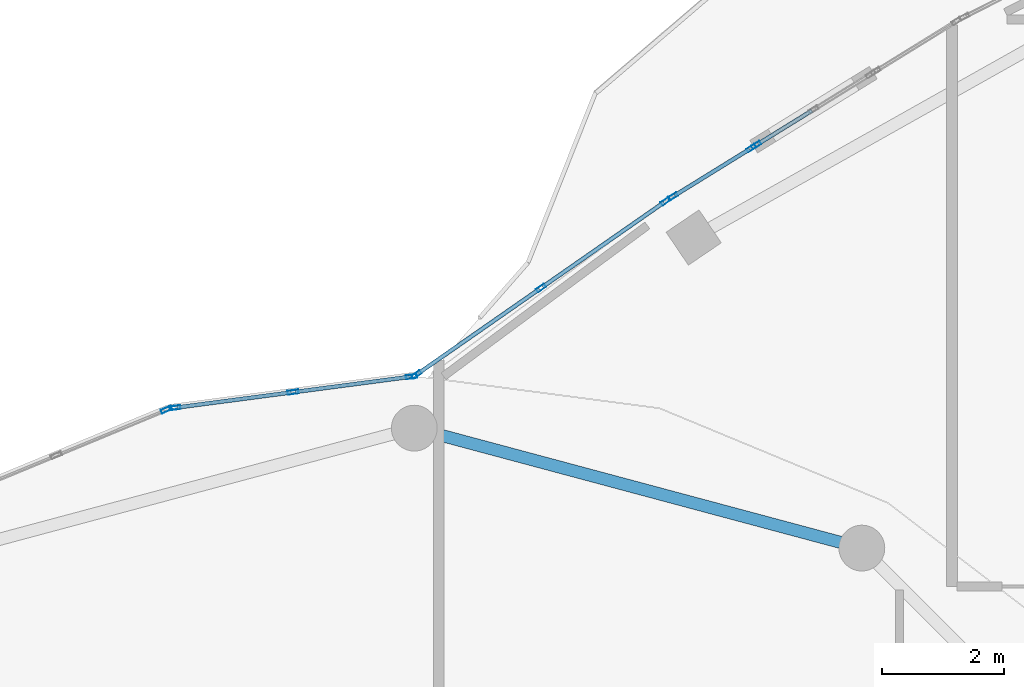
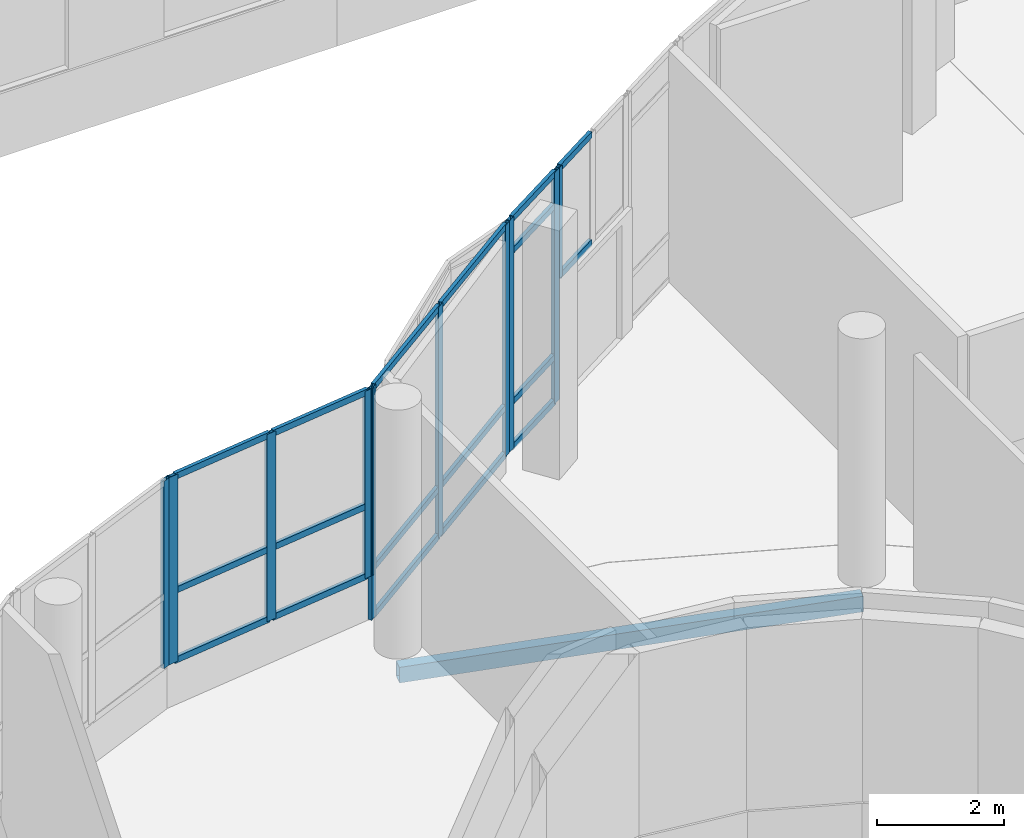
# One storey, part 51 of 155: 28 members, 1 beam, 5 elements without a shape of their own.
"""IFC4 building model written with IfcOpenShell, lengths in metres."""

from ifc_helpers import new_model, si_unit, direction, frame, origin, origin_2d, place, context, subcontext, project, spatial, hollow_rectangle, extrude, material, material_profile, profile_set, type_object, element, aggregate, save


model = new_model("IFC4")

# Units and contexts
model_context = context("Model", 3, precision=1e-05, world=origin(), true_north=direction((0.0, 1.0)))
body_context = subcontext(model_context, "Body", "Model", "MODEL_VIEW")
ifc_project = project(units=[si_unit("LENGTHUNIT", "METRE"), si_unit("AREAUNIT", "SQUARE_METRE"), si_unit("VOLUMEUNIT", "CUBIC_METRE"), si_unit("PLANEANGLEUNIT", "RADIAN"), si_unit("MASSUNIT", "GRAM", prefix="KILO")], contexts=[model_context])

# Site, building, storey
site_placement = place(None, origin())
site = spatial("IfcSite", under=ifc_project, at=site_placement, CompositionType="ELEMENT")
building_placement = place(site_placement, origin())
building = spatial("IfcBuilding", under=site, at=building_placement, Name="Selatvlak General Hospital", CompositionType="ELEMENT")
storey_placement = place(building_placement, frame((0.0, 0.0, 10.199951171875)))
storey = spatial("IfcBuildingStorey", under=building, at=storey_placement, Name="L02", CompositionType="ELEMENT", Elevation=10.199951171875)

# Beam
ifc_material_1 = material(Name="Steel S355", Category="steel")
ifc_material_profile_1 = material_profile(ifc_material_1, hollow_rectangle(XDim=0.199951171875, YDim=0.300048828125, WallThickness=0.011962890625, at=origin_2d()), Name="RHS 300x200x12")
ifc_profile_set_1 = profile_set([ifc_material_profile_1], Name="Steel S355")
beam_type = type_object("IfcBeamType", Name="BM-SP3", PredefinedType="SPANDREL", material=ifc_profile_set_1)
beam_placement = place(storey_placement, frame((105.324951171875, 66.68701171875, -0.5048828125), z_axis=(-0.965920028052, 0.25884068345, 0.0), x_axis=(-0.25884068345, -0.965920028052, 0.0)))
element("IfcBeam", 1, at=beam_placement, inside=storey, type_object=beam_type, Name="Beam BMR-L02-1101", PredefinedType="SPANDREL", context=body_context, shape_type="SweptSolid", body=[
    extrude(hollow_rectangle(XDim=0.199951171875, YDim=0.300048828125, WallThickness=0.011962890625, at=origin_2d()), origin(), (0.0, 0.0, 1.0), 7.58349609375),
])

# Curtain wall, members
ifc_material_2 = material(Name="Solar-control Low-E double glazing", Category="glass")
curtain_wall_type_1 = type_object("IfcCurtainWallType", Name="CW-CW-01", PredefinedType="USERDEFINED", material=ifc_material_2)
curtain_wall_1_placement = place(storey_placement, origin())
curtain_wall_1 = element("IfcCurtainWall", 2, at=curtain_wall_1_placement, inside=storey, type_object=curtain_wall_type_1, Name="Glazed facade curtain wall CW-L02-0351", ObjectType="UNITISED CURTAIN WALL", PredefinedType="USERDEFINED")
ifc_material_3 = material(Name="Dark anodised aluminium mullion", Category="aluminium")
ifc_material_profile_2 = material_profile(ifc_material_3, hollow_rectangle(XDim=0.06494140625, YDim=0.159912109375, WallThickness=0.00390625, at=origin_2d()), Name="AL-MUL 65x160x4")
ifc_profile_set_2 = profile_set([ifc_material_profile_2], Name="Dark anodised aluminium mullion")
member_type_1 = type_object("IfcMemberType", Name="CWM-01", PredefinedType="MULLION", material=ifc_profile_set_2)
member_1_placement = place(storey_placement, frame((98.03759765625, 69.527587890625, 0.0), z_axis=(0.0, 0.0, 1.0), x_axis=(-0.571111097841, 0.820872775723, 0.0)))
member_1 = element("IfcMember", 3, at=member_1_placement, type_object=member_type_1, Name="CW-01 mullion 1", PredefinedType="MULLION", context=body_context, shape_type="SweptSolid", body=[
    extrude(hollow_rectangle(XDim=0.06494140625, YDim=0.159912109375, WallThickness=0.00390625, at=origin_2d()), origin(), (0.0, 0.0, 1.0), 4.4599609375),
])
member_2_placement = place(storey_placement, frame((100.074951171875, 70.945068359375, 0.0), z_axis=(0.0, 0.0, 1.0), x_axis=(-0.571111097841, 0.820872775723, 0.0)))
member_2 = element("IfcMember", 4, at=member_2_placement, type_object=member_type_1, Name="CW-01 mullion 2", PredefinedType="MULLION", context=body_context, shape_type="SweptSolid", body=[
    extrude(hollow_rectangle(XDim=0.06494140625, YDim=0.159912109375, WallThickness=0.00390625, at=origin_2d()), origin(), (0.0, 0.0, 1.0), 4.4599609375),
])
member_3_placement = place(storey_placement, frame((102.1123046875, 72.362548828125, 0.0), z_axis=(0.0, 0.0, 1.0), x_axis=(-0.571111097841, 0.820872775723, 0.0)))
member_3 = element("IfcMember", 5, at=member_3_placement, type_object=member_type_1, Name="CW-01 mullion 3", PredefinedType="MULLION", context=body_context, shape_type="SweptSolid", body=[
    extrude(hollow_rectangle(XDim=0.06494140625, YDim=0.159912109375, WallThickness=0.00390625, at=origin_2d()), origin(), (0.0, 0.0, 1.0), 4.4599609375),
])

# Curtain wall, member
curtain_wall_type_2 = type_object("IfcCurtainWallType", Name="CW-CW-02", PredefinedType="USERDEFINED", material=ifc_material_2)
curtain_wall_2_placement = place(storey_placement, origin())
curtain_wall_2 = element("IfcCurtainWall", 6, at=curtain_wall_2_placement, inside=storey, type_object=curtain_wall_type_2, Name="Glazed facade curtain wall CW-L02-0352", ObjectType="UNITISED CURTAIN WALL", PredefinedType="USERDEFINED")
member_4_placement = place(storey_placement, frame((103.5966796875, 73.283203125, 2.320068359375), z_axis=(0.0, 0.0, 1.0), x_axis=(-0.526111885649, 0.850415359562, 0.0)))
member_4 = element("IfcMember", 7, at=member_4_placement, type_object=member_type_1, Name="CW-02 mullion 1", PredefinedType="MULLION", context=body_context, shape_type="SweptSolid", body=[
    extrude(hollow_rectangle(XDim=0.06494140625, YDim=0.159912109375, WallThickness=0.00390625, at=origin_2d()), origin(), (0.0, 0.0, 1.0), 2.139892578125),
])

# Curtain wall, members
curtain_wall_3_placement = place(storey_placement, origin())
curtain_wall_3 = element("IfcCurtainWall", 8, at=curtain_wall_3_placement, inside=storey, type_object=curtain_wall_type_1, Name="Glazed facade curtain wall CW-L02-0353", ObjectType="UNITISED CURTAIN WALL", PredefinedType="USERDEFINED")
member_5_placement = place(storey_placement, frame((102.234619140625, 72.441162109375, 0.0), z_axis=(0.0, 0.0, 1.0), x_axis=(-0.525872346387, 0.850563504569, 0.0)))
member_5 = element("IfcMember", 9, at=member_5_placement, type_object=member_type_1, Name="CW-01 mullion 1", PredefinedType="MULLION", context=body_context, shape_type="SweptSolid", body=[
    extrude(hollow_rectangle(XDim=0.06494140625, YDim=0.159912109375, WallThickness=0.00390625, at=origin_2d()), origin(), (0.0, 0.0, 1.0), 4.4599609375),
])
member_6_placement = place(storey_placement, frame((103.515380859375, 73.23291015625, 0.0), z_axis=(0.0, 0.0, 1.0), x_axis=(-0.525872346387, 0.850563504569, 0.0)))
member_6 = element("IfcMember", 10, at=member_6_placement, type_object=member_type_1, Name="CW-01 mullion 2", PredefinedType="MULLION", context=body_context, shape_type="SweptSolid", body=[
    extrude(hollow_rectangle(XDim=0.06494140625, YDim=0.159912109375, WallThickness=0.00390625, at=origin_2d()), origin(), (0.0, 0.0, 1.0), 4.4599609375),
])

# Curtain wall, member
curtain_wall_type_3 = type_object("IfcCurtainWallType", Name="CW-CW-04", PredefinedType="USERDEFINED", material=ifc_material_2)
curtain_wall_4_placement = place(storey_placement, origin())
curtain_wall_4 = element("IfcCurtainWall", 11, at=curtain_wall_4_placement, inside=storey, type_object=curtain_wall_type_3, Name="Glazed facade curtain wall CW-L02-0349", ObjectType="STICK GLAZING WALL", PredefinedType="USERDEFINED")
ifc_material_profile_3 = material_profile(ifc_material_3, hollow_rectangle(XDim=0.06494140625, YDim=0.179931640625, WallThickness=0.00439453125, at=origin_2d()), Name="AL-MUL 65x180x4.5")
ifc_profile_set_3 = profile_set([ifc_material_profile_3], Name="Dark anodised aluminium mullion")
member_type_2 = type_object("IfcMemberType", Name="CWM-02", PredefinedType="MULLION", material=ifc_profile_set_3)
member_7_placement = place(storey_placement, frame((93.94287109375, 68.95263671875, 0.85009765625), z_axis=(0.0, 0.0, 1.0), x_axis=(-0.382752625243, 0.923850868847, 0.0)))
member_7 = element("IfcMember", 12, at=member_7_placement, type_object=member_type_2, Name="CW-04 mullion 3", PredefinedType="MULLION", context=body_context, shape_type="SweptSolid", body=[
    extrude(hollow_rectangle(XDim=0.06494140625, YDim=0.179931640625, WallThickness=0.00439453125, at=origin_2d()), origin(), (0.0, 0.0, 1.0), 3.60986328125),
])
aggregate(curtain_wall_4, [member_7])

# Curtain wall, members
curtain_wall_type_4 = type_object("IfcCurtainWallType", Name="CW-CW-05", PredefinedType="USERDEFINED", material=ifc_material_2)
curtain_wall_5_placement = place(storey_placement, origin())
curtain_wall_5 = element("IfcCurtainWall", 13, at=curtain_wall_5_placement, inside=storey, type_object=curtain_wall_type_4, Name="Glazed facade curtain wall CW-L02-0350", ObjectType="STICK GLAZING WALL", PredefinedType="USERDEFINED")
member_8_placement = place(storey_placement, frame((94.084228515625, 68.984130859375, 0.85009765625), z_axis=(0.0, 0.0, 1.0), x_axis=(-0.130611050186, 0.991433685916, 0.0)))
member_8 = element("IfcMember", 14, at=member_8_placement, type_object=member_type_2, Name="CW-05 mullion 1", PredefinedType="MULLION", context=body_context, shape_type="SweptSolid", body=[
    extrude(hollow_rectangle(XDim=0.06494140625, YDim=0.179931640625, WallThickness=0.00439453125, at=origin_2d()), origin(), (0.0, 0.0, 1.0), 3.60986328125),
])
member_9_placement = place(storey_placement, frame((96.01806640625, 69.239013671875, 0.85009765625), z_axis=(0.0, 0.0, 1.0), x_axis=(-0.130611050186, 0.991433685916, 0.0)))
member_9 = element("IfcMember", 15, at=member_9_placement, type_object=member_type_2, Name="CW-05 mullion 2", PredefinedType="MULLION", context=body_context, shape_type="SweptSolid", body=[
    extrude(hollow_rectangle(XDim=0.06494140625, YDim=0.179931640625, WallThickness=0.00439453125, at=origin_2d()), origin(), (0.0, 0.0, 1.0), 3.60986328125),
])
member_10_placement = place(storey_placement, frame((97.95166015625, 69.49365234375, 0.85009765625), z_axis=(0.0, 0.0, 1.0), x_axis=(-0.130611050186, 0.991433685916, 0.0)))
member_10 = element("IfcMember", 16, at=member_10_placement, type_object=member_type_2, Name="CW-05 mullion 3", PredefinedType="MULLION", context=body_context, shape_type="SweptSolid", body=[
    extrude(hollow_rectangle(XDim=0.06494140625, YDim=0.179931640625, WallThickness=0.00439453125, at=origin_2d()), origin(), (0.0, 0.0, 1.0), 3.60986328125),
])
ifc_material_profile_4 = material_profile(ifc_material_3, hollow_rectangle(XDim=0.06494140625, YDim=0.1201171875, WallThickness=0.00390625, at=origin_2d()), Name="AL-TRN 65x120x4")
ifc_profile_set_4 = profile_set([ifc_material_profile_4], Name="Dark anodised aluminium mullion")
member_type_3 = type_object("IfcMemberType", Name="CWT-01", PredefinedType="USERDEFINED", material=ifc_profile_set_4)
member_11_placement = place(storey_placement, frame((94.116455078125, 68.988525390625, 0.882568359375), z_axis=(0.991429156787, 0.130645424996, 0.0), x_axis=(-0.130645424996, 0.991429156787, 0.0)))
member_11 = element("IfcMember", 17, at=member_11_placement, type_object=member_type_3, Name="CW-05 transom 1.1", ObjectType="TRANSOM", PredefinedType="USERDEFINED", context=body_context, shape_type="SweptSolid", body=[
    extrude(hollow_rectangle(XDim=0.06494140625, YDim=0.1201171875, WallThickness=0.00390625, at=origin_2d()), origin(), (0.0, 0.0, 1.0), 1.885498046875),
])
member_12_placement = place(storey_placement, frame((94.116455078125, 68.988525390625, 2.22998046875), z_axis=(0.991429156787, 0.130645424996, 0.0), x_axis=(-0.130645424996, 0.991429156787, 0.0)))
member_12 = element("IfcMember", 18, at=member_12_placement, type_object=member_type_3, Name="CW-05 transom 1.2", ObjectType="TRANSOM", PredefinedType="USERDEFINED", context=body_context, shape_type="SweptSolid", body=[
    extrude(hollow_rectangle(XDim=0.06494140625, YDim=0.1201171875, WallThickness=0.00390625, at=origin_2d()), origin(), (0.0, 0.0, 1.0), 1.885498046875),
])
member_13_placement = place(storey_placement, frame((94.116455078125, 68.988525390625, 4.427490234375), z_axis=(0.991429156787, 0.130645424996, 0.0), x_axis=(-0.130645424996, 0.991429156787, 0.0)))
member_13 = element("IfcMember", 19, at=member_13_placement, type_object=member_type_3, Name="CW-05 transom 1.3", ObjectType="TRANSOM", PredefinedType="USERDEFINED", context=body_context, shape_type="SweptSolid", body=[
    extrude(hollow_rectangle(XDim=0.06494140625, YDim=0.1201171875, WallThickness=0.00390625, at=origin_2d()), origin(), (0.0, 0.0, 1.0), 1.885498046875),
])
member_14_placement = place(storey_placement, frame((96.05029296875, 69.2431640625, 0.882568359375), z_axis=(0.991429156787, 0.130645424996, 0.0), x_axis=(-0.130645424996, 0.991429156787, 0.0)))
member_14 = element("IfcMember", 20, at=member_14_placement, type_object=member_type_3, Name="CW-05 transom 2.1", ObjectType="TRANSOM", PredefinedType="USERDEFINED", context=body_context, shape_type="SweptSolid", body=[
    extrude(hollow_rectangle(XDim=0.06494140625, YDim=0.1201171875, WallThickness=0.00390625, at=origin_2d()), origin(), (0.0, 0.0, 1.0), 1.885498046875),
])
member_15_placement = place(storey_placement, frame((96.05029296875, 69.2431640625, 2.22998046875), z_axis=(0.991429156787, 0.130645424996, 0.0), x_axis=(-0.130645424996, 0.991429156787, 0.0)))
member_15 = element("IfcMember", 21, at=member_15_placement, type_object=member_type_3, Name="CW-05 transom 2.2", ObjectType="TRANSOM", PredefinedType="USERDEFINED", context=body_context, shape_type="SweptSolid", body=[
    extrude(hollow_rectangle(XDim=0.06494140625, YDim=0.1201171875, WallThickness=0.00390625, at=origin_2d()), origin(), (0.0, 0.0, 1.0), 1.885498046875),
])
member_16_placement = place(storey_placement, frame((96.05029296875, 69.2431640625, 4.427490234375), z_axis=(0.991429156787, 0.130645424996, 0.0), x_axis=(-0.130645424996, 0.991429156787, 0.0)))
member_16 = element("IfcMember", 22, at=member_16_placement, type_object=member_type_3, Name="CW-05 transom 2.3", ObjectType="TRANSOM", PredefinedType="USERDEFINED", context=body_context, shape_type="SweptSolid", body=[
    extrude(hollow_rectangle(XDim=0.06494140625, YDim=0.1201171875, WallThickness=0.00390625, at=origin_2d()), origin(), (0.0, 0.0, 1.0), 1.885498046875),
])
aggregate(curtain_wall_5, [member_8, member_9, member_10, member_11, member_12, member_13, member_14, member_15, member_16])

# Member
member_17_placement = place(storey_placement, frame((98.064453125, 69.546142578125, 0.032470703125), z_axis=(0.820851666417, 0.571141437598, 0.0), x_axis=(-0.571141437598, 0.820851666417, 0.0)))
member_17 = element("IfcMember", 23, at=member_17_placement, type_object=member_type_3, Name="CW-01 transom 1.1", ObjectType="TRANSOM", PredefinedType="USERDEFINED", context=body_context, shape_type="SweptSolid", body=[
    extrude(hollow_rectangle(XDim=0.06494140625, YDim=0.1201171875, WallThickness=0.00390625, at=origin_2d()), origin(), (0.0, 0.0, 1.0), 2.416748046875),
])

member_18_placement = place(storey_placement, frame((98.064453125, 69.546142578125, 0.949951171875), z_axis=(0.820851666417, 0.571141437598, 0.0), x_axis=(-0.571141437598, 0.820851666417, 0.0)))
member_18 = element("IfcMember", 24, at=member_18_placement, type_object=member_type_3, Name="CW-01 transom 1.2", ObjectType="TRANSOM", PredefinedType="USERDEFINED", context=body_context, shape_type="SweptSolid", body=[
    extrude(hollow_rectangle(XDim=0.06494140625, YDim=0.1201171875, WallThickness=0.00390625, at=origin_2d()), origin(), (0.0, 0.0, 1.0), 2.416748046875),
])

member_19_placement = place(storey_placement, frame((98.064453125, 69.546142578125, 4.427490234375), z_axis=(0.820851666417, 0.571141437598, 0.0), x_axis=(-0.571141437598, 0.820851666417, 0.0)))
member_19 = element("IfcMember", 25, at=member_19_placement, type_object=member_type_3, Name="CW-01 transom 1.3", ObjectType="TRANSOM", PredefinedType="USERDEFINED", context=body_context, shape_type="SweptSolid", body=[
    extrude(hollow_rectangle(XDim=0.06494140625, YDim=0.1201171875, WallThickness=0.00390625, at=origin_2d()), origin(), (0.0, 0.0, 1.0), 2.416748046875),
])

member_20_placement = place(storey_placement, frame((100.1015625, 70.963623046875, 0.032470703125), z_axis=(0.82088461382, 0.571094082261, 0.0), x_axis=(-0.571094082261, 0.82088461382, 0.0)))
member_20 = element("IfcMember", 26, at=member_20_placement, type_object=member_type_3, Name="CW-01 transom 2.1", ObjectType="TRANSOM", PredefinedType="USERDEFINED", context=body_context, shape_type="SweptSolid", body=[
    extrude(hollow_rectangle(XDim=0.06494140625, YDim=0.1201171875, WallThickness=0.00390625, at=origin_2d()), origin(), (0.0, 0.0, 1.0), 2.4169921875),
])

member_21_placement = place(storey_placement, frame((100.1015625, 70.963623046875, 0.949951171875), z_axis=(0.82088461382, 0.571094082261, 0.0), x_axis=(-0.571094082261, 0.82088461382, 0.0)))
member_21 = element("IfcMember", 27, at=member_21_placement, type_object=member_type_3, Name="CW-01 transom 2.2", ObjectType="TRANSOM", PredefinedType="USERDEFINED", context=body_context, shape_type="SweptSolid", body=[
    extrude(hollow_rectangle(XDim=0.06494140625, YDim=0.1201171875, WallThickness=0.00390625, at=origin_2d()), origin(), (0.0, 0.0, 1.0), 2.4169921875),
])

member_22_placement = place(storey_placement, frame((100.1015625, 70.963623046875, 4.427490234375), z_axis=(0.82088461382, 0.571094082261, 0.0), x_axis=(-0.571094082261, 0.82088461382, 0.0)))
member_22 = element("IfcMember", 28, at=member_22_placement, type_object=member_type_3, Name="CW-01 transom 2.3", ObjectType="TRANSOM", PredefinedType="USERDEFINED", context=body_context, shape_type="SweptSolid", body=[
    extrude(hollow_rectangle(XDim=0.06494140625, YDim=0.1201171875, WallThickness=0.00390625, at=origin_2d()), origin(), (0.0, 0.0, 1.0), 2.4169921875),
])

aggregate(curtain_wall_1, [member_1, member_2, member_3, member_17, member_18, member_19, member_20, member_21, member_22])

member_23_placement = place(storey_placement, frame((103.624267578125, 73.30029296875, 2.3525390625), z_axis=(0.850435657631, 0.526079074123, 0.0), x_axis=(-0.526079074123, 0.850435657631, 0.0)))
member_23 = element("IfcMember", 29, at=member_23_placement, type_object=member_type_3, Name="CW-02 transom 1.1", ObjectType="TRANSOM", PredefinedType="USERDEFINED", context=body_context, shape_type="SweptSolid", body=[
    extrude(hollow_rectangle(XDim=0.06494140625, YDim=0.1201171875, WallThickness=0.00390625, at=origin_2d()), origin(), (0.0, 0.0, 1.0), 1.037109375),
])

member_24_placement = place(storey_placement, frame((103.624267578125, 73.30029296875, 4.427490234375), z_axis=(0.850435657631, 0.526079074123, 0.0), x_axis=(-0.526079074123, 0.850435657631, 0.0)))
member_24 = element("IfcMember", 30, at=member_24_placement, type_object=member_type_3, Name="CW-02 transom 1.2", ObjectType="TRANSOM", PredefinedType="USERDEFINED", context=body_context, shape_type="SweptSolid", body=[
    extrude(hollow_rectangle(XDim=0.06494140625, YDim=0.1201171875, WallThickness=0.00390625, at=origin_2d()), origin(), (0.0, 0.0, 1.0), 1.037109375),
])

aggregate(curtain_wall_2, [member_4, member_23, member_24])

member_25_placement = place(storey_placement, frame((102.26220703125, 72.458251953125, 0.032470703125), z_axis=(0.850615237888, 0.525788661985, 0.0), x_axis=(-0.525788661985, 0.850615237888, 0.0)))
member_25 = element("IfcMember", 31, at=member_25_placement, type_object=member_type_3, Name="CW-01 transom 1.1", ObjectType="TRANSOM", PredefinedType="USERDEFINED", context=body_context, shape_type="SweptSolid", body=[
    extrude(hollow_rectangle(XDim=0.06494140625, YDim=0.1201171875, WallThickness=0.00390625, at=origin_2d()), origin(), (0.0, 0.0, 1.0), 1.44091796875),
])

member_26_placement = place(storey_placement, frame((102.26220703125, 72.458251953125, 0.900146484375), z_axis=(0.850615237888, 0.525788661985, 0.0), x_axis=(-0.525788661985, 0.850615237888, 0.0)))
member_26 = element("IfcMember", 32, at=member_26_placement, type_object=member_type_3, Name="CW-01 transom 1.2", ObjectType="TRANSOM", PredefinedType="USERDEFINED", context=body_context, shape_type="SweptSolid", body=[
    extrude(hollow_rectangle(XDim=0.06494140625, YDim=0.1201171875, WallThickness=0.00390625, at=origin_2d()), origin(), (0.0, 0.0, 1.0), 1.44091796875),
])

member_27_placement = place(storey_placement, frame((102.26220703125, 72.458251953125, 3.81005859375), z_axis=(0.850615237888, 0.525788661985, 0.0), x_axis=(-0.525788661985, 0.850615237888, 0.0)))
member_27 = element("IfcMember", 33, at=member_27_placement, type_object=member_type_3, Name="CW-01 transom 1.3", ObjectType="TRANSOM", PredefinedType="USERDEFINED", context=body_context, shape_type="SweptSolid", body=[
    extrude(hollow_rectangle(XDim=0.06494140625, YDim=0.1201171875, WallThickness=0.00390625, at=origin_2d()), origin(), (0.0, 0.0, 1.0), 1.44091796875),
])

member_28_placement = place(storey_placement, frame((102.26220703125, 72.458251953125, 4.427490234375), z_axis=(0.850615237888, 0.525788661985, 0.0), x_axis=(-0.525788661985, 0.850615237888, 0.0)))
member_28 = element("IfcMember", 34, at=member_28_placement, type_object=member_type_3, Name="CW-01 transom 1.4", ObjectType="TRANSOM", PredefinedType="USERDEFINED", context=body_context, shape_type="SweptSolid", body=[
    extrude(hollow_rectangle(XDim=0.06494140625, YDim=0.1201171875, WallThickness=0.00390625, at=origin_2d()), origin(), (0.0, 0.0, 1.0), 1.44091796875),
])

aggregate(curtain_wall_3, [member_5, member_6, member_25, member_26, member_27, member_28])

save(model, "model.ifc")
